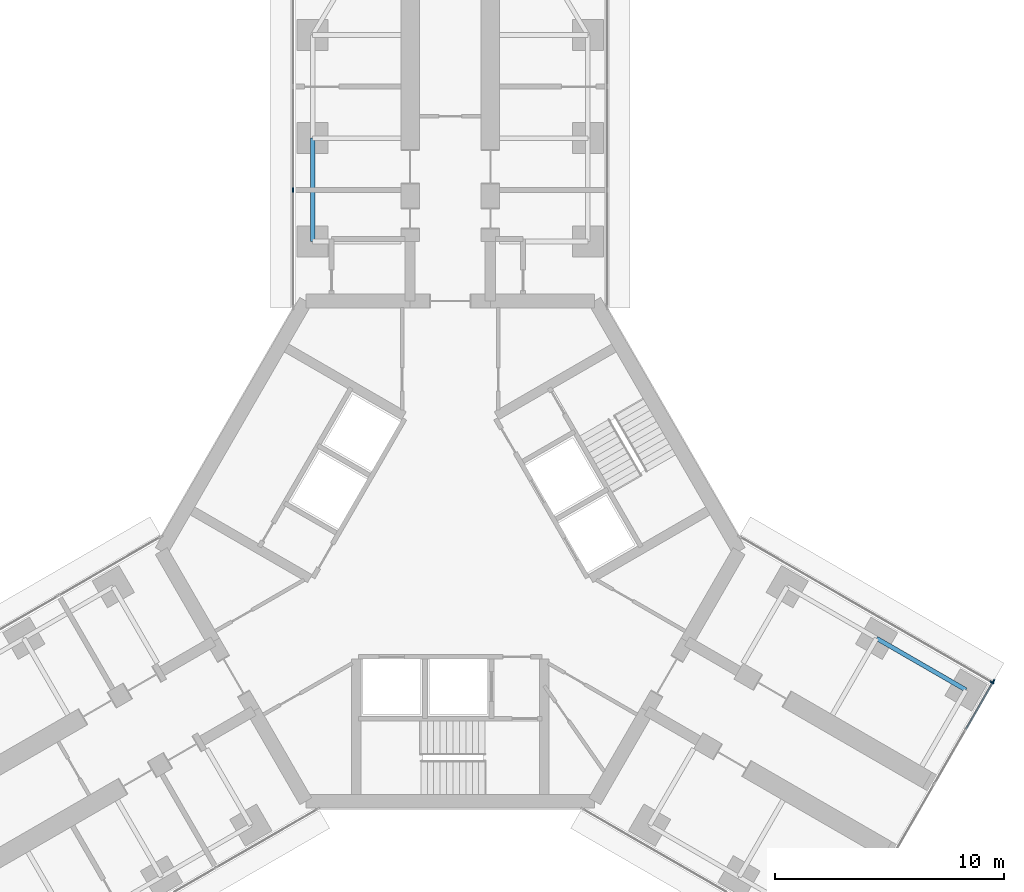
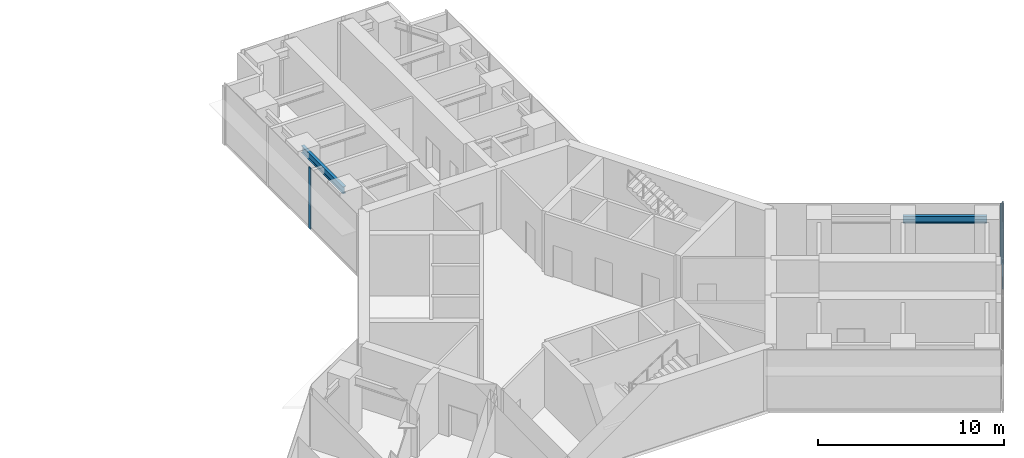
# One storey, part 11 of 21: 4 members, 2 beams, 3 elements without a shape of their own.
"""IFC4 building model written with IfcOpenShell, lengths in metres."""

import ifcopenshell
import ifcopenshell.guid

model = None  # the IFC model being written
_history = None  # IfcOwnerHistory: only IFC2X3 demands one
_inside = {}  # id of a spatial element -> (the spatial element, [elements in it])
_under = {}  # id of a project, library or spatial element -> (it, [spatial elements below it])
_declared = {}  # id of a project -> (the project, [libraries it declares])
_typed = {}  # id of a type object -> (the type object, [elements of that type])
_made_of = {}  # id of a material, layer set ... -> (it, [elements and type objects made of it])


def new_model(schema):
    """Start an empty IFC model of exactly this schema.

    Asked for "IFC4X3", IfcOpenShell would pick the latest addendum, in which some entities
    have other attributes; the version numbers below select the first issue.
    IFC2X3 requires an IfcOwnerHistory on every rooted entity: one is made here for all.
    """
    global model, _history
    if schema == "IFC4X3":
        model = ifcopenshell.file(schema_version=(4, 3, 0, 0))
    else:
        model = ifcopenshell.file(schema=schema)
    _inside.clear()
    _under.clear()
    _declared.clear()
    _typed.clear()
    _made_of.clear()
    _history = None
    if model.schema == "IFC2X3":
        org = make("IfcOrganization", Name="unknown")
        user = make(
            "IfcPersonAndOrganization",
            ThePerson=make("IfcPerson", FamilyName="unknown"),
            TheOrganization=org,
        )
        app = make(
            "IfcApplication",
            ApplicationDeveloper=org,
            Version="unknown",
            ApplicationFullName="unknown",
            ApplicationIdentifier="unknown",
        )
        _history = make(
            "IfcOwnerHistory",
            OwningUser=user,
            OwningApplication=app,
            ChangeAction="ADDED",
            CreationDate=0,
        )
    return model


def make(cls, **values):
    """One entity of the class cls with the attributes given. An attribute that is None is left unset."""
    return model.create_entity(
        cls, **{name: value for name, value in values.items() if value is not None}
    )


def rooted(cls, **values):
    """An entity with a GlobalId (a new one), such as an element, a storey or a relation."""
    return make(cls, GlobalId=ifcopenshell.guid.new(), OwnerHistory=_history, **values)


def si_unit(unit_type, name, prefix=None):
    """IfcSIUnit, for example si_unit("LENGTHUNIT", "METRE", prefix="MILLI")."""
    return make("IfcSIUnit", UnitType=unit_type, Prefix=prefix, Name=name)


def assignment(units):
    """IfcUnitAssignment: the units of a project."""
    return None if units is None else make("IfcUnitAssignment", Units=units)


def point(xyz):
    """IfcCartesianPoint."""
    return None if xyz is None else make("IfcCartesianPoint", Coordinates=xyz)


def direction(xyz):
    """IfcDirection."""
    return None if xyz is None else make("IfcDirection", DirectionRatios=xyz)


def frame(location, z_axis=None, x_axis=None):
    """IfcAxis2Placement3D, a coordinate frame: its origin and axes. An axis left out is left unset."""
    return make(
        "IfcAxis2Placement3D",
        Location=point(location),
        Axis=direction(z_axis),
        RefDirection=direction(x_axis),
    )


def frame_2d(location, x_axis=None):
    """IfcAxis2Placement2D, a coordinate frame in the plane: its origin and x axis."""
    return make(
        "IfcAxis2Placement2D", Location=point(location), RefDirection=direction(x_axis)
    )


def origin():
    """The frame at (0, 0, 0) with its axes left unset."""
    return frame((0.0, 0.0, 0.0))


def origin_2d():
    """The frame at (0, 0) in the plane with its x axis left unset."""
    return frame_2d((0.0, 0.0))


def place(relative_to, where):
    """IfcLocalPlacement: puts the frame where relative to a parent placement (None: the world)."""
    return make(
        "IfcLocalPlacement", PlacementRelTo=relative_to, RelativePlacement=where
    )


def context(
    kind, dimensions, precision=None, world=None, true_north=None, identifier=None
):
    """IfcGeometricRepresentationContext, for example the 3D "Model" context."""
    return make(
        "IfcGeometricRepresentationContext",
        ContextIdentifier=identifier,
        ContextType=kind,
        CoordinateSpaceDimension=dimensions,
        Precision=precision,
        WorldCoordinateSystem=world,
        TrueNorth=true_north,
    )


def subcontext(parent, identifier, kind, view, scale=None):
    """IfcGeometricRepresentationSubContext, for example "Body" below "Model"."""
    return make(
        "IfcGeometricRepresentationSubContext",
        ContextIdentifier=identifier,
        ContextType=kind,
        ParentContext=parent,
        TargetScale=scale,
        TargetView=view,
    )


def project(units=None, contexts=None):
    """IfcProject with its units and contexts."""
    return rooted(
        "IfcProject",
        Name="project",
        RepresentationContexts=contexts,
        UnitsInContext=assignment(units),
    )


def spatial(cls, under=None, at=None, **own):
    """A site, building, storey or space (cls), placed at a placement, below another one or the project."""
    s = rooted(cls, ObjectPlacement=at, **own)
    if under is not None:
        _under.setdefault(under.id(), (under, []))[1].append(s)
    return s


def profile(cls, at=None, kind="AREA", **sizes):
    """A parametric profile (cls). Its sizes go by their IFC names, for example OverallWidth=200.0."""
    return make(cls, ProfileType=kind, Position=at, **sizes)


def rectangle(**sizes):
    """IfcRectangleProfileDef."""
    return profile("IfcRectangleProfileDef", **sizes)


def i_section(**sizes):
    """IfcIShapeProfileDef."""
    return profile("IfcIShapeProfileDef", **sizes)


def extrude(swept, where, along, depth):
    """IfcExtrudedAreaSolid: the profile swept, set in the frame where, extruded along a direction by depth."""
    return make(
        "IfcExtrudedAreaSolid",
        SweptArea=swept,
        Position=where,
        ExtrudedDirection=direction(along),
        Depth=depth,
    )


def shape(context_of_items, identifier, shape_type, items):
    """IfcShapeRepresentation: the items that make up one representation, for example the "Body"."""
    return make(
        "IfcShapeRepresentation",
        ContextOfItems=context_of_items,
        RepresentationIdentifier=identifier,
        RepresentationType=shape_type,
        Items=items,
    )


def material(Name=None, Category=None):
    """IfcMaterial."""
    return make("IfcMaterial", Name=Name, Category=Category)


def material_profile(
    of_material, cross_section, Name=None, Category=None, Priority=None
):
    """IfcMaterialProfile: a cross section and its material."""
    return make(
        "IfcMaterialProfile",
        Name=Name,
        Material=of_material,
        Profile=cross_section,
        Priority=Priority,
        Category=Category,
    )


def profile_set(profiles, Name=None, composite=None):
    """IfcMaterialProfileSet."""
    return make(
        "IfcMaterialProfileSet",
        Name=Name,
        MaterialProfiles=profiles,
        CompositeProfile=composite,
    )


def made_of(thing, what):
    """Note that an element or type object is made of a material, layer set ...; save() writes the relation."""
    if what is not None:
        _made_of.setdefault(what.id(), (what, []))[1].append(thing)
    return thing


def type_object(cls, material=None, **own):
    """A type object (cls), such as IfcWallType, which elements share."""
    return made_of(rooted(cls, **own), material)


def element(
    cls,
    number,
    at=None,
    inside=None,
    cuts=None,
    type_object=None,
    material=None,
    context=None,
    identifier="Body",
    shape_type=None,
    held_by="IfcProductDefinitionShape",
    body=None,
    shapes=None,
    **own,
):
    """One element of the class cls, such as IfcWall. Its Tag is "e" and its number.

    at: its placement. inside: the storey or other place that contains it. cuts: it is an
    opening in that element (IfcRelVoidsElement). A single representation is given by context,
    identifier, shape_type and body (its items); several are given by shapes. held_by: the class
    of the entity that holds the representations. save() writes the other relations.
    """
    e = rooted(cls, Tag="e%d" % number, ObjectPlacement=at, **own)
    if body is not None:
        shapes = [shape(context, identifier, shape_type, body)]
    if shapes is not None:
        e.Representation = make(held_by, Representations=shapes)
    if inside is not None:
        _inside.setdefault(inside.id(), (inside, []))[1].append(e)
    if cuts is not None:
        rooted(
            "IfcRelVoidsElement", RelatingBuildingElement=cuts, RelatedOpeningElement=e
        )
    if type_object is not None:
        _typed.setdefault(type_object.id(), (type_object, []))[1].append(e)
    return made_of(e, material)


def aggregate(whole, parts):
    """IfcRelAggregates: a whole, such as a stair, and the parts it consists of."""
    return rooted("IfcRelAggregates", RelatingObject=whole, RelatedObjects=parts)


def save(model, path):
    """Write the relations noted so far, then the file.

    IfcRelAggregates (storeys below a building ...), IfcRelContainedInSpatialStructure (elements
    in a storey), IfcRelDefinesByType, IfcRelAssociatesMaterial and IfcRelDeclares: one each for
    every whole, place, type object, material and project.
    """
    for whole, parts in _under.values():
        aggregate(whole, parts)
    for where, things in _inside.values():
        rooted(
            "IfcRelContainedInSpatialStructure",
            RelatedElements=things,
            RelatingStructure=where,
        )
    for kind, things in _typed.values():
        rooted("IfcRelDefinesByType", RelatedObjects=things, RelatingType=kind)
    for what, things in _made_of.values():
        rooted("IfcRelAssociatesMaterial", RelatedObjects=things, RelatingMaterial=what)
    for by, libraries in _declared.values():
        rooted("IfcRelDeclares", RelatingContext=by, RelatedDefinitions=libraries)
    model.write(path)


model = new_model("IFC4")

# Units and contexts
model_context = context("Model", 3, precision=1e-05, world=origin(), true_north=direction((0.0, 1.0)))
body_context = subcontext(model_context, "Body", "Model", "MODEL_VIEW")
ifc_project = project(units=[si_unit("LENGTHUNIT", "METRE"), si_unit("AREAUNIT", "SQUARE_METRE"), si_unit("VOLUMEUNIT", "CUBIC_METRE"), si_unit("PLANEANGLEUNIT", "RADIAN"), si_unit("MASSUNIT", "GRAM", prefix="KILO")], contexts=[model_context])

# Site, building, storey
site_placement = place(None, origin())
site = spatial("IfcSite", under=ifc_project, at=site_placement, CompositionType="ELEMENT")
building_placement = place(site_placement, origin())
building = spatial("IfcBuilding", under=site, at=building_placement, Name="Upepo Twin Towers", CompositionType="ELEMENT")
storey_placement = place(building_placement, frame((0.0, 0.0, 113.5)))
storey = spatial("IfcBuildingStorey", under=building, at=storey_placement, Name="L27", CompositionType="ELEMENT", Elevation=113.5)

# Beams
ifc_material_1 = material(Name="Steel S355", Category="steel")
ifc_material_profile_1 = material_profile(ifc_material_1, i_section(OverallWidth=0.1904296875, OverallDepth=0.45703125, WebThickness=0.009033203125, FlangeThickness=0.014404296875, FilletRadius=0.01025390625, at=origin_2d()), Name="UB 457x191x74")
ifc_profile_set_1 = profile_set([ifc_material_profile_1], Name="Steel S355")
beam_type = type_object("IfcBeamType", Name="Beam UB 457x191x74", PredefinedType="BEAM", material=ifc_profile_set_1)
for number, where, z_axis, x_axis, name in (
    (1, (52.5, -4.5, 3.571533203125), (0.0, 1.0, 0.0), (-1.0, 0.0, 0.0), "T2 edge beam AL 13.5-18.0"),
    (2, (77.08837890625, -21.803955078125, 3.571533203125), (0.866031096941, -0.499990139034, 0.0), (0.499990139034, 0.866031096941, 0.0), "T2 edge beam CL 18.0-22.5"),
):
    element("IfcBeam", number, at=place(storey_placement, frame(where, z_axis=z_axis, x_axis=x_axis)), inside=storey, type_object=beam_type, Name=name, PredefinedType="BEAM", context=body_context, shape_type="SweptSolid", body=[
        extrude(i_section(OverallWidth=0.1904296875, OverallDepth=0.45703125, WebThickness=0.009033203125, FlangeThickness=0.014404296875, FilletRadius=0.01025390625, at=origin_2d()), origin(), (0.0, 0.0, 1.0), 4.5),
    ])

# Curtain wall, member
ifc_material_2 = material(Name="Aluminium and fritted glass", Category="aluminium")
curtain_wall_type = type_object("IfcCurtainWallType", Name="Tower curtain wall TW2, fritted glass", PredefinedType="NOTDEFINED", material=ifc_material_2)
curtain_wall_1_placement = place(storey_placement, origin())
curtain_wall_1 = element("IfcCurtainWall", 3, at=curtain_wall_1_placement, inside=storey, type_object=curtain_wall_type, Name="T2 L27 wing A flank L curtain wall", PredefinedType="NOTDEFINED")
ifc_material_3 = material(Name="Aluminium mullion", Category="aluminium")
ifc_material_profile_2 = material_profile(ifc_material_3, rectangle(XDim=0.06494140625, YDim=0.199951171875, at=origin_2d()), Name="MULLION 65x200")
ifc_profile_set_2 = profile_set([ifc_material_profile_2], Name="Aluminium mullion")
member_type_1 = type_object("IfcMemberType", Name="Mullion 65x200 TW2", PredefinedType="MULLION", material=ifc_profile_set_2)
member_1_placement = place(storey_placement, frame((51.64990234375, -2.25, 0.0), z_axis=(0.0, 0.0, 1.0), x_axis=(-1.0, 0.0, 0.0)))
member_1 = element("IfcMember", 4, at=member_1_placement, type_object=member_type_1, Name="T2 L27 wing A flank L curtain wall mullion 2", PredefinedType="MULLION", context=body_context, shape_type="SweptSolid", body=[
    extrude(rectangle(XDim=0.06494140625, YDim=0.199951171875, at=origin_2d()), origin(), (0.0, 0.0, 1.0), 4.0),
])
aggregate(curtain_wall_1, [member_1])

curtain_wall_2_placement = place(storey_placement, origin())
curtain_wall_2 = element("IfcCurtainWall", 5, at=curtain_wall_2_placement, inside=storey, type_object=curtain_wall_type, Name="T2 L27 wing C flank L curtain wall", PredefinedType="NOTDEFINED")
member_2_placement = place(storey_placement, frame((82.11865234375, -23.7265625, 0.0), z_axis=(0.0, 0.0, 1.0), x_axis=(0.50000000792, 0.866025399212, 0.0)))
member_2 = element("IfcMember", 6, at=member_2_placement, type_object=member_type_1, Name="T2 L27 wing C flank L curtain wall mullion 2", PredefinedType="MULLION", context=body_context, shape_type="SweptSolid", body=[
    extrude(rectangle(XDim=0.06494140625, YDim=0.199951171875, at=origin_2d()), origin(), (0.0, 0.0, 1.0), 4.0),
])
aggregate(curtain_wall_2, [member_2])

# Curtain wall, members
curtain_wall_3_placement = place(storey_placement, origin())
curtain_wall_3 = element("IfcCurtainWall", 7, at=curtain_wall_3_placement, inside=storey, type_object=curtain_wall_type, Name="T2 L27 wing C nose curtain wall", PredefinedType="NOTDEFINED")
member_3_placement = place(storey_placement, frame((82.180419921875, -23.684326171875, 0.0), z_axis=(0.0, 0.0, 1.0), x_axis=(-0.866025419745, 0.499999972355, 0.0)))
member_3 = element("IfcMember", 8, at=member_3_placement, type_object=member_type_1, Name="T2 L27 wing C nose curtain wall mullion 6", PredefinedType="MULLION", context=body_context, shape_type="SweptSolid", body=[
    extrude(rectangle(XDim=0.06494140625, YDim=0.199951171875, at=origin_2d()), origin(), (0.0, 0.0, 1.0), 4.0),
])
ifc_material_4 = material(Name="Aluminium transom", Category="aluminium")
ifc_material_profile_3 = material_profile(ifc_material_4, rectangle(XDim=0.06494140625, YDim=0.14990234375, at=origin_2d()), Name="TRANSOM 65x150")
ifc_profile_set_3 = profile_set([ifc_material_profile_3], Name="Aluminium transom")
member_type_2 = type_object("IfcMemberType", Name="Transom 65x150 TW2", PredefinedType="USERDEFINED", material=ifc_profile_set_3)
member_4_placement = place(storey_placement, frame((80.988037109375, -25.749755859375, 0.074951171875), z_axis=(0.50000093428, 0.866024864377, 0.0), x_axis=(-0.866024864377, 0.50000093428, 0.0)))
member_4 = element("IfcMember", 9, at=member_4_placement, type_object=member_type_2, Name="T2 L27 wing C nose curtain wall transom 5", ObjectType="TRANSOM", PredefinedType="USERDEFINED", context=body_context, shape_type="SweptSolid", body=[
    extrude(rectangle(XDim=0.06494140625, YDim=0.14990234375, at=origin_2d()), origin(), (0.0, 0.0, 1.0), 2.3525390625),
])
aggregate(curtain_wall_3, [member_3, member_4])

save(model, "model.ifc")
